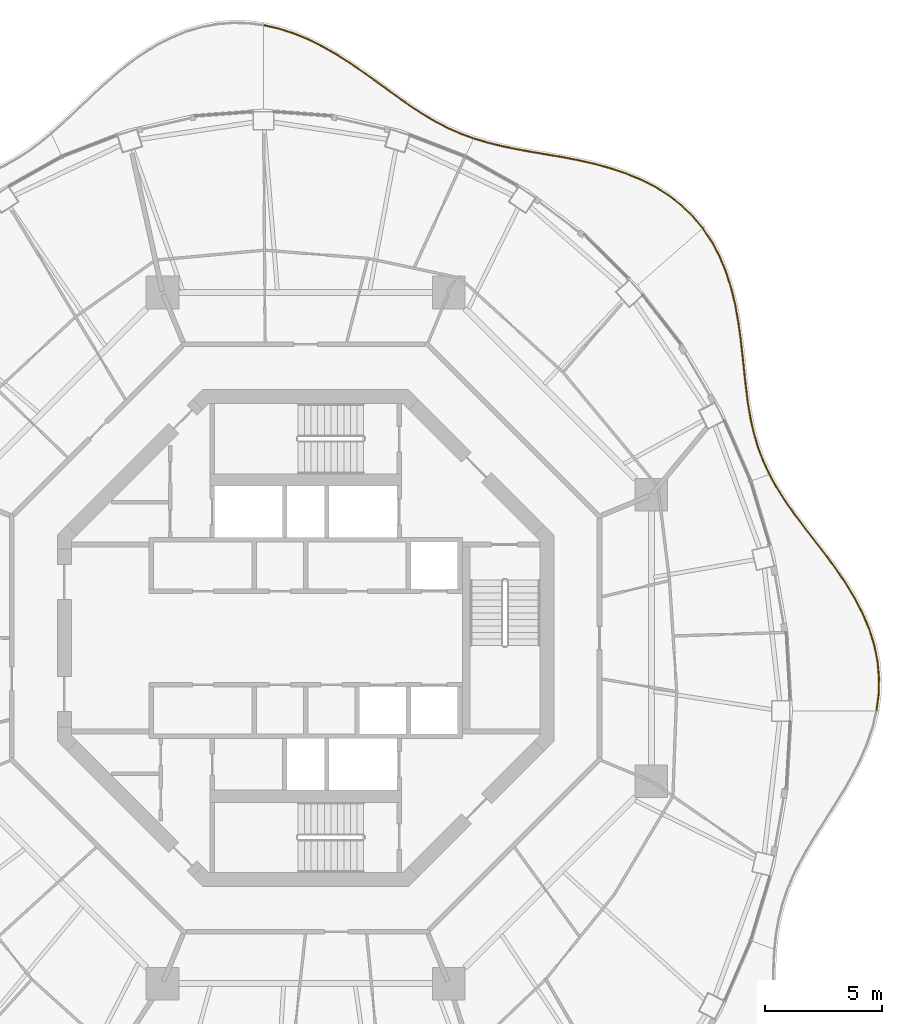
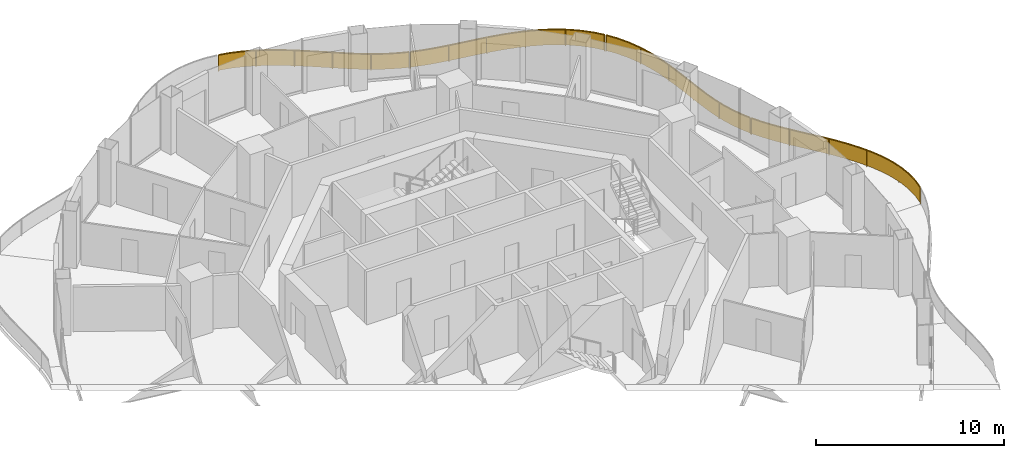
# One storey, part 17 of 17: 4 railings.
"""IFC4 building model written with IfcOpenShell, lengths in metres."""

from ifc_helpers import new_model, si_unit, direction, frame, origin, origin_2d, place, context, subcontext, project, spatial, polyline, rectangle, outline, extrude, material, type_object, element, save


model = new_model("IFC4")

# Units and contexts
model_context = context("Model", 3, precision=1e-05, world=origin(), true_north=direction((0.0, 1.0)))
body_context = subcontext(model_context, "Body", "Model", "MODEL_VIEW")
ifc_project = project(units=[si_unit("LENGTHUNIT", "METRE"), si_unit("AREAUNIT", "SQUARE_METRE"), si_unit("VOLUMEUNIT", "CUBIC_METRE"), si_unit("PLANEANGLEUNIT", "RADIAN"), si_unit("MASSUNIT", "GRAM", prefix="KILO")], contexts=[model_context])

# Site, building, storey
site_placement = place(None, origin())
site = spatial("IfcSite", under=ifc_project, at=site_placement, CompositionType="ELEMENT")
building_placement = place(site_placement, origin())
building = spatial("IfcBuilding", under=site, at=building_placement, Name="Nagisa Residences", CompositionType="ELEMENT")
storey_placement = place(building_placement, frame((0.0, 0.0, 277.0)))
storey = spatial("IfcBuildingStorey", under=building, at=storey_placement, Name="L70", CompositionType="ELEMENT", Elevation=277.0)

# Railings
ifc_material = material(Name="Stainless steel 316", Category="steel")
railing_type = type_object("IfcRailingType", Name="BALCONY GUARD 1100", PredefinedType="BALUSTRADE", material=ifc_material)
railing_1_placement = place(storey_placement, frame((24.414794921875, -3.079345703125, 0.0)))
element("IfcRailing", 1, at=railing_1_placement, inside=storey, type_object=railing_type, Name="guard:L70:bal00-0", PredefinedType="BALUSTRADE", context=body_context, shape_type="SweptSolid", body=[
    extrude(outline(polyline([(0.063720703125, 0.66650390625), (-0.02490234375, 0.00341796875), (0.02490234375, -0.00341796875), (0.113525390625, 0.66259765625), (0.129638671875, 1.37646484375), (0.065673828125, 2.087646484375), (-0.076904296875, 2.791015625), (-0.293701171875, 3.482421875), (-0.575927734375, 4.145751953125), (-0.917724609375, 4.8046875), (-1.30615234375, 5.445068359375), (-1.728515625, 6.066650390625), (-2.171630859375, 6.67041015625), (-2.61865234375, 7.2451171875), (-3.062744140625, 7.82080078125), (-3.48876953125, 8.388916015625), (-3.88623046875, 8.953857421875), (-4.246826171875, 9.521240234375), (-4.544921875, 10.060546875), (-4.5888671875, 10.0361328125), (-4.289794921875, 9.495849609375), (-3.927734375, 8.926025390625), (-3.529296875, 8.359619140625), (-3.102783203125, 7.79052734375), (-2.658203125, 7.21435546875), (-2.211669921875, 6.64013671875), (-1.76953125, 6.037841796875), (-1.34814453125, 5.418212890625), (-0.961181640625, 4.7802734375), (-0.621337890625, 4.124267578125), (-0.340576171875, 3.46533203125), (-0.125244140625, 2.7783203125), (0.015869140625, 2.080322265625), (0.079345703125, 1.375), (0.063720703125, 0.66650390625)])), frame((0.0, 0.0, 1.050048828125)), (0.0, 0.0, 1.0), 0.050048828125),
    extrude(outline(polyline([(0.08154296875, 0.6650390625), (-0.0068359375, 0.0009765625), (0.0068359375, -0.0009765625), (0.095703125, 0.6640625), (0.111572265625, 1.3759765625), (0.047607421875, 2.0849609375), (-0.09423828125, 2.786376953125), (-0.310546875, 3.476318359375), (-0.59228515625, 4.137939453125), (-0.933349609375, 4.7958984375), (-1.3212890625, 5.435546875), (-1.743408203125, 6.056396484375), (-2.18603515625, 6.659423828125), (-2.6328125, 7.234130859375), (-3.0771484375, 7.809814453125), (-3.50341796875, 8.37841796875), (-3.901123046875, 8.94384765625), (-4.26220703125, 9.51220703125), (-4.560791015625, 10.0517578125), (-4.572998046875, 10.044921875), (-4.2744140625, 9.5048828125), (-3.912841796875, 8.93603515625), (-3.5146484375, 8.3701171875), (-3.08837890625, 7.801513671875), (-2.64404296875, 7.225341796875), (-2.197265625, 6.651123046875), (-1.754638671875, 6.048095703125), (-1.3330078125, 5.427734375), (-0.945556640625, 4.7890625), (-0.60498046875, 4.132080078125), (-0.32373046875, 3.471435546875), (-0.10791015625, 2.782958984375), (0.033935546875, 2.0830078125), (0.097412109375, 1.37548828125), (0.08154296875, 0.6650390625)])), frame((0.0, 0.0, 0.06005859375)), (0.0, 0.0, 1.0), 0.989990234375),
    extrude(rectangle(XDim=0.0400390625, YDim=0.0400390625, at=origin_2d()), origin(), (0.0, 0.0, 1.0), 1.050048828125),
    extrude(rectangle(XDim=0.0400390625, YDim=0.0400390625, at=origin_2d()), frame((0.00439453125, 2.26416015625, 0.0)), (0.0, 0.0, 1.0), 1.050048828125),
    extrude(rectangle(XDim=0.0400390625, YDim=0.0400390625, at=origin_2d()), frame((-0.73876953125, 4.405517578125, 0.0)), (0.0, 0.0, 1.0), 1.050048828125),
    extrude(rectangle(XDim=0.0400390625, YDim=0.0400390625, at=origin_2d()), frame((-1.951904296875, 6.32861328125, 0.0)), (0.0, 0.0, 1.0), 1.050048828125),
    extrude(rectangle(XDim=0.0400390625, YDim=0.0400390625, at=origin_2d()), frame((-3.33251953125, 8.138671875, 0.0)), (0.0, 0.0, 1.0), 1.050048828125),
    extrude(rectangle(XDim=0.0400390625, YDim=0.0400390625, at=origin_2d()), frame((-4.56689453125, 10.04833984375, 0.0)), (0.0, 0.0, 1.0), 1.050048828125),
])
railing_2_placement = place(storey_placement, frame((19.815185546875, 7.0302734375, 0.0)))
element("IfcRailing", 2, at=railing_2_placement, inside=storey, type_object=railing_type, Name="guard:L70:bal01-0", PredefinedType="BALUSTRADE", context=body_context, shape_type="SweptSolid", body=[
    extrude(outline(polyline([(-0.2705078125, 0.5234375), (-0.022705078125, -0.010498046875), (0.022705078125, 0.010498046875), (-0.22412109375, 0.54296875), (-0.44482421875, 1.12890625), (-0.6240234375, 1.734130859375), (-0.765869140625, 2.361328125), (-0.87744140625, 3.01123046875), (-0.95947265625, 3.670166015625), (-1.03564453125, 4.3623046875), (-1.109375, 5.070556640625), (-1.192138671875, 5.79052734375), (-1.295166015625, 6.51513671875), (-1.42041015625, 7.225830078125), (-1.59326171875, 7.93798828125), (-1.81494140625, 8.6318359375), (-2.091064453125, 9.298828125), (-2.42578125, 9.930908203125), (-2.79443359375, 10.48095703125), (-2.8359375, 10.453125), (-2.46875, 9.905029296875), (-2.136474609375, 9.27734375), (-1.86181640625, 8.61474609375), (-1.6416015625, 7.92431640625), (-1.46923828125, 7.215576171875), (-1.344482421875, 6.50732421875), (-1.241943359375, 5.7841796875), (-1.1591796875, 5.065185546875), (-1.08544921875, 4.35693359375), (-1.00927734375, 3.664306640625), (-0.9267578125, 3.00390625), (-0.815185546875, 2.3515625), (-0.67236328125, 1.721435546875), (-0.4921875, 1.11279296875), (-0.2705078125, 0.5234375)])), frame((0.0, 0.0, 1.050048828125)), (0.0, 0.0, 1.0), 0.050048828125),
    extrude(outline(polyline([(-0.253662109375, 0.530517578125), (-0.00634765625, -0.0029296875), (0.00634765625, 0.0029296875), (-0.240966796875, 0.535888671875), (-0.4619140625, 1.123046875), (-0.641357421875, 1.7294921875), (-0.78369140625, 2.35791015625), (-0.895263671875, 3.008544921875), (-0.9775390625, 3.66796875), (-1.053466796875, 4.3603515625), (-1.127197265625, 5.068603515625), (-1.210205078125, 5.788330078125), (-1.31298828125, 6.512451171875), (-1.43798828125, 7.22216796875), (-1.610595703125, 7.93310546875), (-1.831787109375, 8.625732421875), (-2.107421875, 9.291015625), (-2.441162109375, 9.921630859375), (-2.809326171875, 10.470947265625), (-2.821044921875, 10.463134765625), (-2.453369140625, 9.914306640625), (-2.1201171875, 9.28515625), (-1.844970703125, 8.620849609375), (-1.624267578125, 7.92919921875), (-1.45166015625, 7.21923828125), (-1.32666015625, 6.510009765625), (-1.223876953125, 5.786376953125), (-1.141357421875, 5.067138671875), (-1.067626953125, 4.35888671875), (-0.9912109375, 3.66650390625), (-0.908935546875, 3.006591796875), (-0.79736328125, 2.35498046875), (-0.655029296875, 1.72607421875), (-0.47509765625, 1.11865234375), (-0.253662109375, 0.530517578125)])), frame((0.0, 0.0, 0.06005859375)), (0.0, 0.0, 1.0), 0.989990234375),
    extrude(rectangle(XDim=0.0400390625, YDim=0.0400390625, at=origin_2d()), origin(), (0.0, 0.0, 1.0), 1.050048828125),
    extrude(rectangle(XDim=0.0400390625, YDim=0.0400390625, at=origin_2d()), frame((-0.7236328125, 2.0615234375, 0.0)), (0.0, 0.0, 1.0), 1.050048828125),
    extrude(rectangle(XDim=0.0400390625, YDim=0.0400390625, at=origin_2d()), frame((-1.0458984375, 4.226806640625, 0.0)), (0.0, 0.0, 1.0), 1.050048828125),
    extrude(rectangle(XDim=0.0400390625, YDim=0.0400390625, at=origin_2d()), frame((-1.304443359375, 6.402099609375, 0.0)), (0.0, 0.0, 1.0), 1.050048828125),
    extrude(rectangle(XDim=0.0400390625, YDim=0.0400390625, at=origin_2d()), frame((-1.808837890625, 8.5302734375, 0.0)), (0.0, 0.0, 1.0), 1.050048828125),
    extrude(rectangle(XDim=0.0400390625, YDim=0.0400390625, at=origin_2d()), frame((-2.815185546875, 10.467041015625, 0.0)), (0.0, 0.0, 1.0), 1.050048828125),
])
railing_3_placement = place(storey_placement, frame((16.953857421875, 17.559326171875, 0.0)))
element("IfcRailing", 3, at=railing_3_placement, inside=storey, type_object=railing_type, Name="guard:L70:bal02-0", PredefinedType="BALUSTRADE", context=body_context, shape_type="SweptSolid", body=[
    extrude(outline(polyline([(-0.419921875, 0.462646484375), (-0.019287109375, -0.01611328125), (0.019287109375, 0.01611328125), (-0.38330078125, 0.496826171875), (-0.86962890625, 0.966064453125), (-1.4052734375, 1.38525390625), (-1.984375, 1.752685546875), (-2.601318359375, 2.06982421875), (-3.23583984375, 2.32861328125), (-3.904541015625, 2.553955078125), (-4.587158203125, 2.741455078125), (-5.27587890625, 2.898193359375), (-5.96337890625, 3.031982421875), (-6.629150390625, 3.142333984375), (-7.295166015625, 3.2568359375), (-7.943603515625, 3.375244140625), (-8.572265625, 3.506103515625), (-9.179443359375, 3.656982421875), (-9.72509765625, 3.821533203125), (-9.73974609375, 3.773681640625), (-9.192626953125, 3.608642578125), (-8.58349609375, 3.457275390625), (-7.953369140625, 3.325927734375), (-7.303955078125, 3.20751953125), (-6.637451171875, 3.093017578125), (-5.97216796875, 2.982666015625), (-5.2861328125, 2.849365234375), (-4.599365234375, 2.693115234375), (-3.919189453125, 2.506103515625), (-3.25341796875, 2.28173828125), (-2.622314453125, 2.0244140625), (-2.00927734375, 1.709228515625), (-1.43408203125, 1.34423828125), (-0.90234375, 0.928466796875), (-0.419921875, 0.462646484375)])), frame((0.0, 0.0, 1.050048828125)), (0.0, 0.0, 1.0), 0.050048828125),
    extrude(outline(polyline([(-0.40673828125, 0.474853515625), (-0.00537109375, -0.00439453125), (0.00537109375, 0.00439453125), (-0.396484375, 0.484619140625), (-0.88134765625, 0.95263671875), (-1.41552734375, 1.370361328125), (-1.993408203125, 1.737060546875), (-2.60888671875, 2.053466796875), (-3.2421875, 2.311767578125), (-3.909912109375, 2.53662109375), (-4.591552734375, 2.72412109375), (-5.279541015625, 2.880615234375), (-5.966552734375, 3.01416015625), (-6.632080078125, 3.12451171875), (-7.29833984375, 3.239013671875), (-7.947265625, 3.357421875), (-8.576416015625, 3.488525390625), (-9.18408203125, 3.6396484375), (-9.73046875, 3.80419921875), (-9.734375, 3.791015625), (-9.18798828125, 3.6259765625), (-8.579345703125, 3.474853515625), (-7.94970703125, 3.34375), (-7.30078125, 3.225341796875), (-6.634521484375, 3.11083984375), (-5.968994140625, 3.00048828125), (-5.282470703125, 2.866943359375), (-4.594970703125, 2.71044921875), (-3.913818359375, 2.5234375), (-3.2470703125, 2.298583984375), (-2.61474609375, 2.040771484375), (-2.000244140625, 1.724853515625), (-1.423828125, 1.359130859375), (-0.890625, 0.94189453125), (-0.40673828125, 0.474853515625)])), frame((0.0, 0.0, 0.06005859375)), (0.0, 0.0, 1.0), 0.989990234375),
    extrude(rectangle(XDim=0.0400390625, YDim=0.0400390625, at=origin_2d()), origin(), (0.0, 0.0, 1.0), 1.050048828125),
    extrude(rectangle(XDim=0.0400390625, YDim=0.0400390625, at=origin_2d()), frame((-1.557861328125, 1.452392578125, 0.0)), (0.0, 0.0, 1.0), 1.050048828125),
    extrude(rectangle(XDim=0.0400390625, YDim=0.0400390625, at=origin_2d()), frame((-3.477294921875, 2.383544921875, 0.0)), (0.0, 0.0, 1.0), 1.050048828125),
    extrude(rectangle(XDim=0.0400390625, YDim=0.0400390625, at=origin_2d()), frame((-5.545654296875, 2.92529296875, 0.0)), (0.0, 0.0, 1.0), 1.050048828125),
    extrude(rectangle(XDim=0.0400390625, YDim=0.0400390625, at=origin_2d()), frame((-7.6533203125, 3.296630859375, 0.0)), (0.0, 0.0, 1.0), 1.050048828125),
    extrude(rectangle(XDim=0.0400390625, YDim=0.0400390625, at=origin_2d()), frame((-9.732421875, 3.797607421875, 0.0)), (0.0, 0.0, 1.0), 1.050048828125),
])
railing_4_placement = place(storey_placement, frame((7.155029296875, 21.377685546875, 0.0)))
element("IfcRailing", 4, at=railing_4_placement, inside=storey, type_object=railing_type, Name="guard:L70:bal03-0", PredefinedType="BALUSTRADE", context=body_context, shape_type="SweptSolid", body=[
    extrude(outline(polyline([(-0.516845703125, 0.1630859375), (-0.008544921875, -0.0234375), (0.008544921875, 0.0234375), (-0.498291015625, 0.20947265625), (-1.0302734375, 0.4423828125), (-1.55078125, 0.70849609375), (-2.06396484375, 1.0068359375), (-2.57470703125, 1.335693359375), (-3.071044921875, 1.684814453125), (-3.590576171875, 2.059326171875), (-4.121337890625, 2.44580078125), (-4.666259765625, 2.836181640625), (-5.22802734375, 3.220703125), (-5.7919921875, 3.58740234375), (-6.391845703125, 3.93017578125), (-7.0107421875, 4.237548828125), (-7.64697265625, 4.500244140625), (-8.2978515625, 4.709716796875), (-8.91162109375, 4.849609375), (-8.9228515625, 4.80078125), (-8.31103515625, 4.661376953125), (-7.6640625, 4.453369140625), (-7.03125, 4.192138671875), (-6.415283203125, 3.88623046875), (-5.81787109375, 3.54443359375), (-5.255859375, 3.17919921875), (-4.695068359375, 2.795166015625), (-4.150634765625, 2.4052734375), (-3.619873046875, 2.018798828125), (-3.099853515625, 1.644287109375), (-2.6025390625, 1.294189453125), (-2.09033203125, 0.96435546875), (-1.57470703125, 0.66455078125), (-1.0517578125, 0.39697265625), (-0.516845703125, 0.1630859375)])), frame((0.0, 0.0, 1.050048828125)), (0.0, 0.0, 1.0), 0.050048828125),
    extrude(outline(polyline([(-0.51025390625, 0.1796875), (-0.00244140625, -0.006591796875), (0.00244140625, 0.006591796875), (-0.5048828125, 0.19287109375), (-1.0380859375, 0.426025390625), (-1.559326171875, 0.692626953125), (-2.073486328125, 0.991455078125), (-2.584716796875, 1.32080078125), (-3.081298828125, 1.670166015625), (-3.60107421875, 2.044677734375), (-4.1318359375, 2.43115234375), (-4.6767578125, 2.8212890625), (-5.238037109375, 3.205810546875), (-5.80126953125, 3.57177734375), (-6.400146484375, 3.914306640625), (-7.01806640625, 4.22119140625), (-7.653076171875, 4.4833984375), (-8.302490234375, 4.6923828125), (-8.915771484375, 4.83203125), (-8.918701171875, 4.818359375), (-8.306396484375, 4.6787109375), (-7.657958984375, 4.47021484375), (-7.02392578125, 4.20849609375), (-6.406982421875, 3.902099609375), (-5.80859375, 3.56005859375), (-5.245849609375, 3.194091796875), (-4.6845703125, 2.81005859375), (-4.14013671875, 2.419921875), (-3.609375, 2.033447265625), (-3.089599609375, 1.658935546875), (-2.592529296875, 1.30908203125), (-2.080810546875, 0.979736328125), (-1.566162109375, 0.680419921875), (-1.0439453125, 0.413330078125), (-0.51025390625, 0.1796875)])), frame((0.0, 0.0, 0.06005859375)), (0.0, 0.0, 1.0), 0.989990234375),
    extrude(rectangle(XDim=0.0400390625, YDim=0.0400390625, at=origin_2d()), origin(), (0.0, 0.0, 1.0), 1.050048828125),
    extrude(rectangle(XDim=0.0400390625, YDim=0.0400390625, at=origin_2d()), frame((-1.851318359375, 0.854248046875, 0.0)), (0.0, 0.0, 1.0), 1.050048828125),
    extrude(rectangle(XDim=0.0400390625, YDim=0.0400390625, at=origin_2d()), frame((-3.544677734375, 1.995361328125, 0.0)), (0.0, 0.0, 1.0), 1.050048828125),
    extrude(rectangle(XDim=0.0400390625, YDim=0.0400390625, at=origin_2d()), frame((-5.2099609375, 3.17822265625, 0.0)), (0.0, 0.0, 1.0), 1.050048828125),
    extrude(rectangle(XDim=0.0400390625, YDim=0.0400390625, at=origin_2d()), frame((-6.9794921875, 4.1943359375, 0.0)), (0.0, 0.0, 1.0), 1.050048828125),
    extrude(rectangle(XDim=0.0400390625, YDim=0.0400390625, at=origin_2d()), frame((-8.917236328125, 4.8251953125, 0.0)), (0.0, 0.0, 1.0), 1.050048828125),
])

save(model, "model.ifc")
